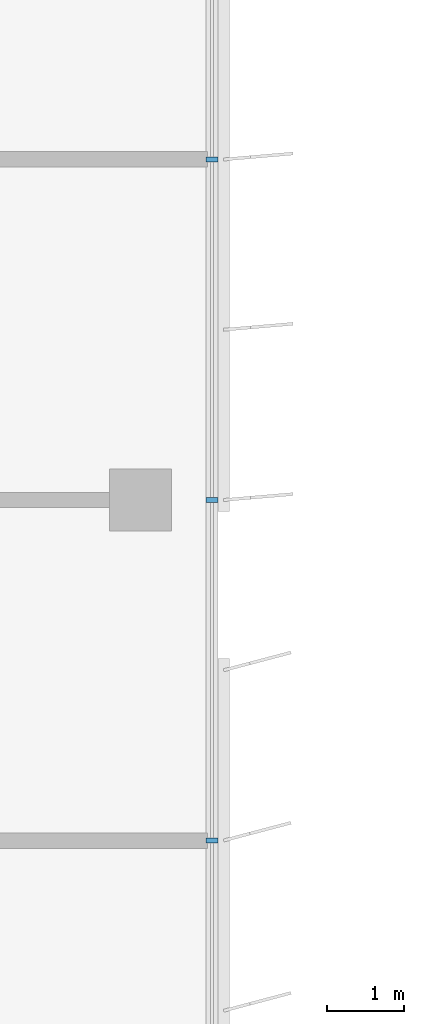
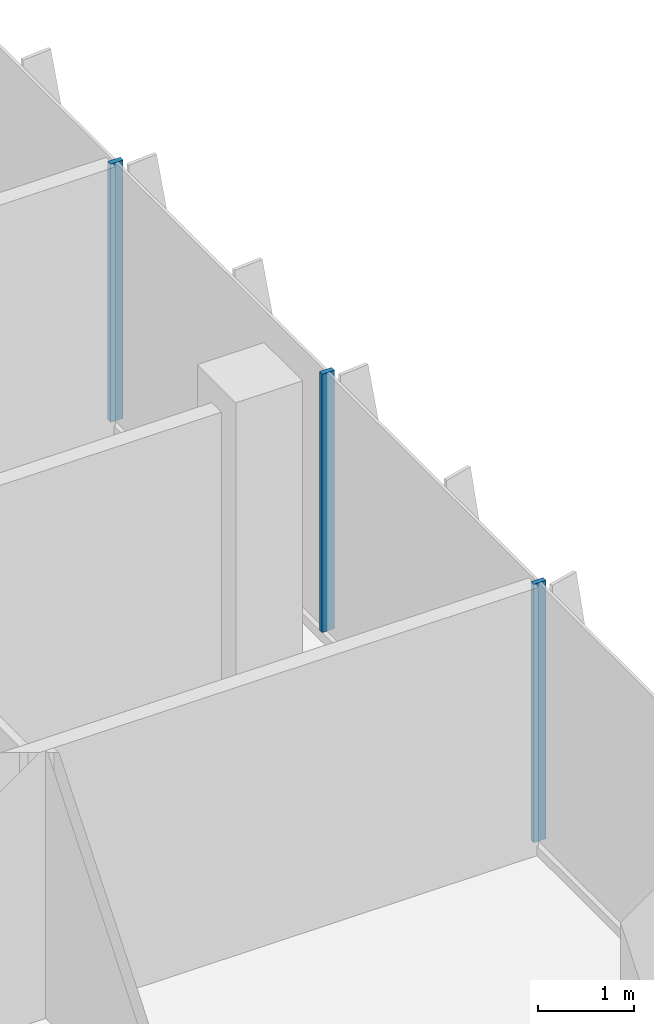
# One storey, part 4 of 16: 3 members, 1 element without a shape of its own.
"""IFC4 building model written with IfcOpenShell, lengths in metres."""

from ifc_helpers import new_model, si_unit, direction, frame, origin, origin_2d, place, context, subcontext, project, spatial, rectangle, extrude, source, transform, mapped, material, material_profile, profile_set, type_object, element, aggregate, save


model = new_model("IFC4")

# Units and contexts
model_context = context("Model", 3, precision=1e-05, world=origin(), true_north=direction((0.0, 1.0)))
body_context = subcontext(model_context, "Body", "Model", "MODEL_VIEW")
ifc_project = project(units=[si_unit("LENGTHUNIT", "METRE"), si_unit("AREAUNIT", "SQUARE_METRE"), si_unit("VOLUMEUNIT", "CUBIC_METRE"), si_unit("PLANEANGLEUNIT", "RADIAN"), si_unit("MASSUNIT", "GRAM", prefix="KILO")], contexts=[model_context])

# Site, building, storey
site_placement = place(None, origin())
site = spatial("IfcSite", under=ifc_project, at=site_placement, CompositionType="ELEMENT")
building_placement = place(site_placement, origin())
building = spatial("IfcBuilding", under=site, at=building_placement, Name="Kemantara Hotel Tower", CompositionType="ELEMENT")
storey_placement = place(building_placement, frame((0.0, 0.0, 287.0)))
storey = spatial("IfcBuildingStorey", under=building, at=storey_placement, Name="L72", CompositionType="ELEMENT", Elevation=287.0)

# Curtain wall, members
ifc_material_1 = material(Name="Low-E tinted double insulated glass 36 mm", Category="glass")
curtain_wall_type = type_object("IfcCurtainWallType", Name="TOWER CURTAIN WALL, FRONT FACES", PredefinedType="USERDEFINED", material=ifc_material_1)
curtain_wall_placement = place(storey_placement, origin())
curtain_wall = element("IfcCurtainWall", 1, at=curtain_wall_placement, inside=storey, type_object=curtain_wall_type, Name="CW4 L72 T4-R15-1", ObjectType="TOWER CURTAIN WALL, FRONT FACES", PredefinedType="USERDEFINED")
ifc_material_2 = material(Name="Aluminium 6063-T6 bronze anodised", Category="aluminium")
ifc_material_profile = material_profile(ifc_material_2, rectangle(XDim=0.14990234375, YDim=0.06005859375, at=origin_2d()), Name="TOWER CURTAIN WALL, FRONT FACES MULLION")
ifc_profile_set = profile_set([ifc_material_profile], Name="Aluminium 6063-T6 bronze anodised")
member_type = type_object("IfcMemberType", Name="TOWER CURTAIN WALL, FRONT FACES MULLION", PredefinedType="MULLION", material=ifc_profile_set)
shared_shape = source(origin(), body_context, "Body", "SweptSolid", [
    extrude(rectangle(XDim=0.14990234375, YDim=0.06005859375, at=origin_2d()), origin(), (0.0, 0.0, 1.0), 3.27978515625),
])
member_1_placement = place(storey_placement, frame((21.925048828125, 31.800048828125, 0.1201171875), z_axis=(0.0, 0.0, 1.0), x_axis=(-1.0, 0.0, 0.0)))
member_1 = element("IfcMember", 2, at=member_1_placement, type_object=member_type, Name="CW4 mullion T4-R15-1.3", PredefinedType="MULLION", context=body_context, shape_type="MappedRepresentation", body=[
    mapped(shared_shape, transform((0.0, 0.0, 0.0))),
])
member_2_placement = place(storey_placement, frame((21.925048828125, 36.199951171875, 0.1201171875), z_axis=(0.0, 0.0, 1.0), x_axis=(-1.0, 0.0, 0.0)))
member_2 = element("IfcMember", 3, at=member_2_placement, type_object=member_type, Name="CW4 mullion T4-R15-1.4", PredefinedType="MULLION", context=body_context, shape_type="MappedRepresentation", body=[
    mapped(shared_shape, transform((0.0, 0.0, 0.0))),
])
member_3_placement = place(storey_placement, frame((21.925048828125, 40.60009765625, 0.1201171875), z_axis=(0.0, 0.0, 1.0), x_axis=(-1.0, 0.0, 0.0)))
member_3 = element("IfcMember", 4, at=member_3_placement, type_object=member_type, Name="CW4 mullion T4-R15-1.5", PredefinedType="MULLION", context=body_context, shape_type="MappedRepresentation", body=[
    mapped(shared_shape, transform((0.0, 0.0, 0.0))),
])
aggregate(curtain_wall, [member_1, member_2, member_3])

save(model, "model.ifc")
